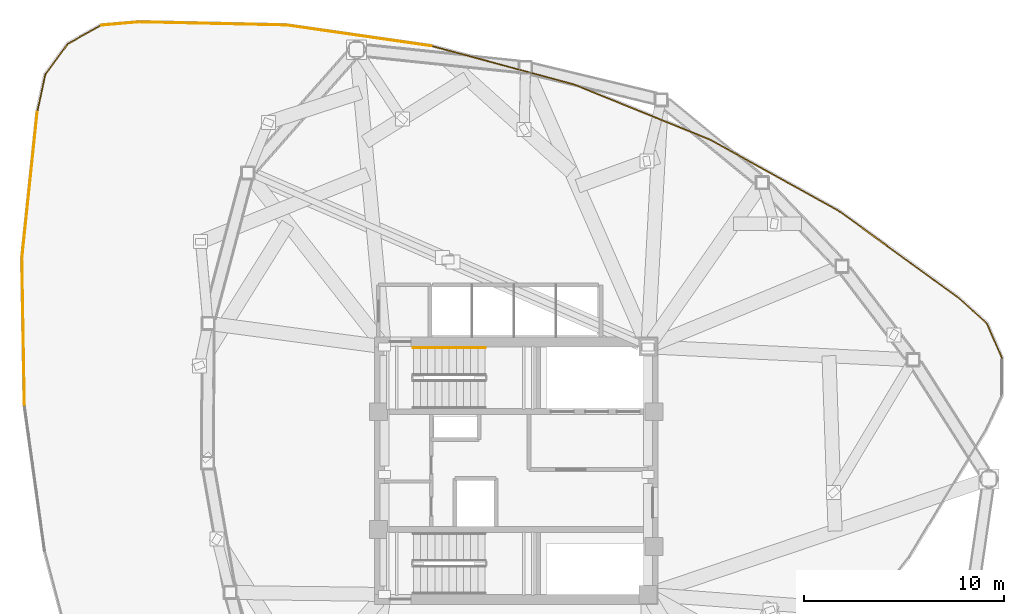
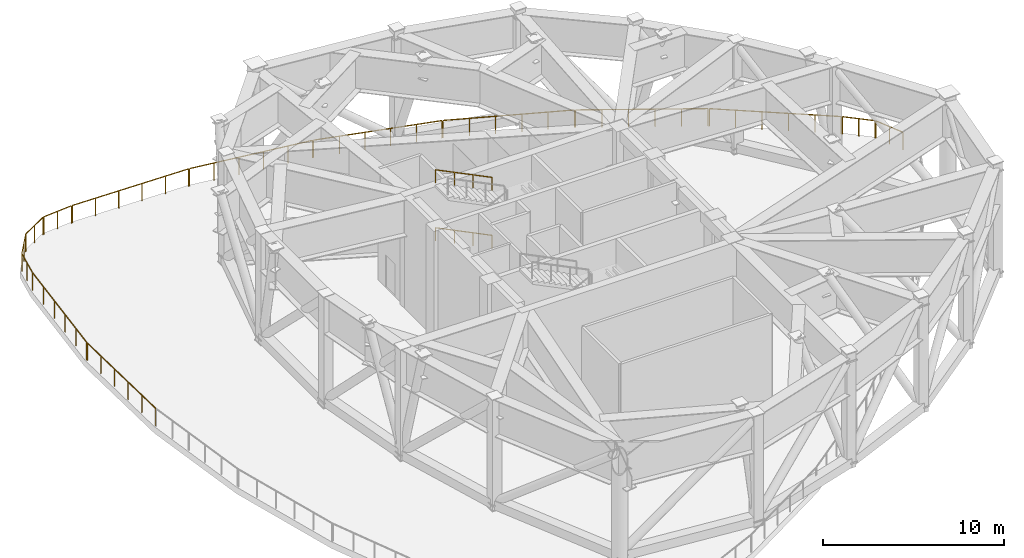
# One storey, part 8 of 8: 16 railings.
"""IFC4 building model written with IfcOpenShell, lengths in metres."""

from ifc_helpers import new_model, si_unit, direction, frame, origin, origin_2d, place, context, subcontext, project, spatial, rectangle, extrude, material, type_object, element, save


model = new_model("IFC4")

# Units and contexts
model_context = context("Model", 3, precision=1e-05, world=origin(), true_north=direction((0.0, 1.0)))
body_context = subcontext(model_context, "Body", "Model", "MODEL_VIEW")
ifc_project = project(units=[si_unit("LENGTHUNIT", "METRE"), si_unit("AREAUNIT", "SQUARE_METRE"), si_unit("VOLUMEUNIT", "CUBIC_METRE"), si_unit("PLANEANGLEUNIT", "RADIAN"), si_unit("MASSUNIT", "GRAM", prefix="KILO")], contexts=[model_context])

# Site, building, storey
site_placement = place(None, origin())
site = spatial("IfcSite", under=ifc_project, at=site_placement, CompositionType="ELEMENT")
building_placement = place(site_placement, origin())
building = spatial("IfcBuilding", under=site, at=building_placement, Name="Tavelor Broadcast Tower", CompositionType="ELEMENT")
storey_placement = place(building_placement, frame((0.0, 0.0, 209.14990234375)))
storey = spatial("IfcBuildingStorey", under=building, at=storey_placement, Name="L50", CompositionType="ELEMENT", Elevation=209.14990234375)

# Railings
ifc_material = material(Name="Steel S355", Category="steel")
railing_type_1 = type_object("IfcRailingType", Name="Continuous Brushed Stainless Handrail 900 mm", PredefinedType="HANDRAIL", material=ifc_material)
for number, where, name in (
    (1, (48.449951171875, 51.14990234375, 2.12744140625), "L50 ST1 stair handrail 2"),
    (2, (48.449951171875, 51.14990234375, 6.02734375), "L50 ST1 stair handrail 4"),
):
    element("IfcRailing", number, at=place(storey_placement, frame(where)), inside=storey, type_object=railing_type_1, Name=name, PredefinedType="HANDRAIL", context=body_context, shape_type="SweptSolid", body=[
        extrude(rectangle(XDim=0.048095703125, YDim=0.048095703125, at=origin_2d()), frame((0.0, 0.0, 0.8759765625), z_axis=(-0.897124305991, 0.0, 0.441778201817), x_axis=(0.0, -1.0, 0.0)), (0.0, 0.0, 1.0), 4.0126953125),
        extrude(rectangle(XDim=0.0419921875, YDim=0.0419921875, at=origin_2d()), origin(), (0.0, 0.0, 1.0), 0.851806640625),
        extrude(rectangle(XDim=0.0419921875, YDim=0.0419921875, at=origin_2d()), frame((-1.199951171875, 0.0, 0.5908203125)), (0.0, 0.0, 1.0), 0.851806640625),
        extrude(rectangle(XDim=0.0419921875, YDim=0.0419921875, at=origin_2d()), frame((-2.39990234375, 0.0, 1.181884765625)), (0.0, 0.0, 1.0), 0.851806640625),
        extrude(rectangle(XDim=0.0419921875, YDim=0.0419921875, at=origin_2d()), frame((-3.599853515625, 0.0, 1.772705078125)), (0.0, 0.0, 1.0), 0.851806640625),
    ])
railing_type_2 = type_object("IfcRailingType", Name="Open Wind Floor Perimeter Safety Guardrail 1200 mm", PredefinedType="GUARDRAIL", material=ifc_material)
railing_1_placement = place(storey_placement, frame((31.147705078125, 67.4658203125, 0.0)))
element("IfcRailing", 3, at=railing_1_placement, inside=storey, type_object=railing_type_2, Name="L50 Open Wind Floor Perimeter Guardrail 01", PredefinedType="GUARDRAIL", context=body_context, shape_type="SweptSolid", body=[
    extrude(rectangle(XDim=0.048095703125, YDim=0.048095703125, at=origin_2d()), frame((0.0, 0.0, 1.17578125), z_axis=(0.999772520189, -0.021328569439, 0.0), x_axis=(0.021328569439, 0.999772520189, 0.0)), (0.0, 0.0, 1.0), 7.314453125),
    extrude(rectangle(XDim=0.0419921875, YDim=0.0419921875, at=origin_2d()), origin(), (0.0, 0.0, 1.0), 1.15185546875),
    extrude(rectangle(XDim=0.0419921875, YDim=0.0419921875, at=origin_2d()), frame((1.462646484375, -0.03125, 0.0)), (0.0, 0.0, 1.0), 1.15185546875),
    extrude(rectangle(XDim=0.0419921875, YDim=0.0419921875, at=origin_2d()), frame((2.925048828125, -0.0625, 0.0)), (0.0, 0.0, 1.0), 1.15185546875),
    extrude(rectangle(XDim=0.0419921875, YDim=0.0419921875, at=origin_2d()), frame((4.3876953125, -0.093505859375, 0.0)), (0.0, 0.0, 1.0), 1.15185546875),
    extrude(rectangle(XDim=0.0419921875, YDim=0.0419921875, at=origin_2d()), frame((5.85009765625, -0.124755859375, 0.0)), (0.0, 0.0, 1.0), 1.15185546875),
    extrude(rectangle(XDim=0.0419921875, YDim=0.0419921875, at=origin_2d()), frame((7.312744140625, -0.156005859375, 0.0)), (0.0, 0.0, 1.0), 1.15185546875),
])
railing_2_placement = place(storey_placement, frame((38.520263671875, 67.3046875, 0.0)))
element("IfcRailing", 4, at=railing_2_placement, inside=storey, type_object=railing_type_2, Name="L50 Open Wind Floor Perimeter Guardrail 02", PredefinedType="GUARDRAIL", context=body_context, shape_type="SweptSolid", body=[
    extrude(rectangle(XDim=0.048095703125, YDim=0.048095703125, at=origin_2d()), frame((0.0, 0.0, 1.17578125), z_axis=(0.989841717818, -0.142173744644, 0.0), x_axis=(0.142173744644, 0.989841717818, 0.0)), (0.0, 0.0, 1.0), 7.3134765625),
    extrude(rectangle(XDim=0.0419921875, YDim=0.0419921875, at=origin_2d()), origin(), (0.0, 0.0, 1.0), 1.15185546875),
    extrude(rectangle(XDim=0.0419921875, YDim=0.0419921875, at=origin_2d()), frame((1.44775390625, -0.2080078125, 0.0)), (0.0, 0.0, 1.0), 1.15185546875),
    extrude(rectangle(XDim=0.0419921875, YDim=0.0419921875, at=origin_2d()), frame((2.895751953125, -0.416015625, 0.0)), (0.0, 0.0, 1.0), 1.15185546875),
    extrude(rectangle(XDim=0.0419921875, YDim=0.0419921875, at=origin_2d()), frame((4.343505859375, -0.623779296875, 0.0)), (0.0, 0.0, 1.0), 1.15185546875),
    extrude(rectangle(XDim=0.0419921875, YDim=0.0419921875, at=origin_2d()), frame((5.79150390625, -0.831787109375, 0.0)), (0.0, 0.0, 1.0), 1.15185546875),
    extrude(rectangle(XDim=0.0419921875, YDim=0.0419921875, at=origin_2d()), frame((7.2392578125, -1.039794921875, 0.0)), (0.0, 0.0, 1.0), 1.15185546875),
])
railing_3_placement = place(storey_placement, frame((45.818115234375, 66.2529296875, 0.0)))
element("IfcRailing", 5, at=railing_3_placement, inside=storey, type_object=railing_type_2, Name="L50 Open Wind Floor Perimeter Guardrail 03", PredefinedType="GUARDRAIL", context=body_context, shape_type="SweptSolid", body=[
    extrude(rectangle(XDim=0.048095703125, YDim=0.048095703125, at=origin_2d()), frame((0.0, 0.0, 1.17578125), z_axis=(0.965356803018, -0.260933406957, 0.0), x_axis=(0.260933406957, 0.965356803018, 0.0)), (0.0, 0.0, 1.0), 7.31396484375),
    extrude(rectangle(XDim=0.0419921875, YDim=0.0419921875, at=origin_2d()), origin(), (0.0, 0.0, 1.0), 1.15185546875),
    extrude(rectangle(XDim=0.0419921875, YDim=0.0419921875, at=origin_2d()), frame((1.412109375, -0.381591796875, 0.0)), (0.0, 0.0, 1.0), 1.15185546875),
    extrude(rectangle(XDim=0.0419921875, YDim=0.0419921875, at=origin_2d()), frame((2.82421875, -0.763427734375, 0.0)), (0.0, 0.0, 1.0), 1.15185546875),
    extrude(rectangle(XDim=0.0419921875, YDim=0.0419921875, at=origin_2d()), frame((4.236328125, -1.14501953125, 0.0)), (0.0, 0.0, 1.0), 1.15185546875),
    extrude(rectangle(XDim=0.0419921875, YDim=0.0419921875, at=origin_2d()), frame((5.6484375, -1.52685546875, 0.0)), (0.0, 0.0, 1.0), 1.15185546875),
    extrude(rectangle(XDim=0.0419921875, YDim=0.0419921875, at=origin_2d()), frame((7.060546875, -1.908447265625, 0.0)), (0.0, 0.0, 1.0), 1.15185546875),
])
railing_4_placement = place(storey_placement, frame((52.935302734375, 64.325439453125, 0.0)))
element("IfcRailing", 6, at=railing_4_placement, inside=storey, type_object=railing_type_2, Name="L50 Open Wind Floor Perimeter Guardrail 04", PredefinedType="GUARDRAIL", context=body_context, shape_type="SweptSolid", body=[
    extrude(rectangle(XDim=0.048095703125, YDim=0.048095703125, at=origin_2d()), frame((0.0, 0.0, 1.17578125), z_axis=(0.926698111947, -0.375806611588, 0.0), x_axis=(0.375806611588, 0.926698111947, 0.0)), (0.0, 0.0, 1.0), 7.313720703125),
    extrude(rectangle(XDim=0.0419921875, YDim=0.0419921875, at=origin_2d()), origin(), (0.0, 0.0, 1.0), 1.15185546875),
    extrude(rectangle(XDim=0.0419921875, YDim=0.0419921875, at=origin_2d()), frame((1.35546875, -0.5498046875, 0.0)), (0.0, 0.0, 1.0), 1.15185546875),
    extrude(rectangle(XDim=0.0419921875, YDim=0.0419921875, at=origin_2d()), frame((2.7109375, -1.099365234375, 0.0)), (0.0, 0.0, 1.0), 1.15185546875),
    extrude(rectangle(XDim=0.0419921875, YDim=0.0419921875, at=origin_2d()), frame((4.066650390625, -1.649169921875, 0.0)), (0.0, 0.0, 1.0), 1.15185546875),
    extrude(rectangle(XDim=0.0419921875, YDim=0.0419921875, at=origin_2d()), frame((5.422119140625, -2.19873046875, 0.0)), (0.0, 0.0, 1.0), 1.15185546875),
    extrude(rectangle(XDim=0.0419921875, YDim=0.0419921875, at=origin_2d()), frame((6.777587890625, -2.74853515625, 0.0)), (0.0, 0.0, 1.0), 1.15185546875),
])
railing_5_placement = place(storey_placement, frame((59.766845703125, 61.551025390625, 0.0)))
element("IfcRailing", 7, at=railing_5_placement, inside=storey, type_object=railing_type_2, Name="L50 Open Wind Floor Perimeter Guardrail 05", PredefinedType="GUARDRAIL", context=body_context, shape_type="SweptSolid", body=[
    extrude(rectangle(XDim=0.048095703125, YDim=0.048095703125, at=origin_2d()), frame((0.0, 0.0, 1.17578125), z_axis=(0.874387067555, -0.485229075894, 0.0), x_axis=(0.485229075894, 0.874387067555, 0.0)), (0.0, 0.0, 1.0), 7.313720703125),
    extrude(rectangle(XDim=0.0419921875, YDim=0.0419921875, at=origin_2d()), origin(), (0.0, 0.0, 1.0), 1.15185546875),
    extrude(rectangle(XDim=0.0419921875, YDim=0.0419921875, at=origin_2d()), frame((1.279052734375, -0.709716796875, 0.0)), (0.0, 0.0, 1.0), 1.15185546875),
    extrude(rectangle(XDim=0.0419921875, YDim=0.0419921875, at=origin_2d()), frame((2.55810546875, -1.41943359375, 0.0)), (0.0, 0.0, 1.0), 1.15185546875),
    extrude(rectangle(XDim=0.0419921875, YDim=0.0419921875, at=origin_2d()), frame((3.8369140625, -2.12939453125, 0.0)), (0.0, 0.0, 1.0), 1.15185546875),
    extrude(rectangle(XDim=0.0419921875, YDim=0.0419921875, at=origin_2d()), frame((5.115966796875, -2.839111328125, 0.0)), (0.0, 0.0, 1.0), 1.15185546875),
    extrude(rectangle(XDim=0.0419921875, YDim=0.0419921875, at=origin_2d()), frame((6.39501953125, -3.548828125, 0.0)), (0.0, 0.0, 1.0), 1.15185546875),
])
railing_6_placement = place(storey_placement, frame((66.21240234375, 57.97021484375, 0.0)))
element("IfcRailing", 8, at=railing_6_placement, inside=storey, type_object=railing_type_2, Name="L50 Open Wind Floor Perimeter Guardrail 06", PredefinedType="GUARDRAIL", context=body_context, shape_type="SweptSolid", body=[
    extrude(rectangle(XDim=0.048095703125, YDim=0.048095703125, at=origin_2d()), frame((0.0, 0.0, 1.17578125), z_axis=(0.809255386683, -0.587456993426, 0.0), x_axis=(0.587456993426, 0.809255386683, 0.0)), (0.0, 0.0, 1.0), 7.314453125),
    extrude(rectangle(XDim=0.0419921875, YDim=0.0419921875, at=origin_2d()), origin(), (0.0, 0.0, 1.0), 1.15185546875),
    extrude(rectangle(XDim=0.0419921875, YDim=0.0419921875, at=origin_2d()), frame((1.183837890625, -0.859375, 0.0)), (0.0, 0.0, 1.0), 1.15185546875),
    extrude(rectangle(XDim=0.0419921875, YDim=0.0419921875, at=origin_2d()), frame((2.36767578125, -1.71875, 0.0)), (0.0, 0.0, 1.0), 1.15185546875),
    extrude(rectangle(XDim=0.0419921875, YDim=0.0419921875, at=origin_2d()), frame((3.551513671875, -2.578125, 0.0)), (0.0, 0.0, 1.0), 1.15185546875),
    extrude(rectangle(XDim=0.0419921875, YDim=0.0419921875, at=origin_2d()), frame((4.7353515625, -3.4375, 0.0)), (0.0, 0.0, 1.0), 1.15185546875),
    extrude(rectangle(XDim=0.0419921875, YDim=0.0419921875, at=origin_2d()), frame((5.919189453125, -4.296875, 0.0)), (0.0, 0.0, 1.0), 1.15185546875),
])
railing_7_placement = place(storey_placement, frame((72.17822265625, 53.635498046875, 0.0)))
element("IfcRailing", 9, at=railing_7_placement, inside=storey, type_object=railing_type_2, Name="L50 Open Wind Floor Perimeter Guardrail 07", PredefinedType="GUARDRAIL", context=body_context, shape_type="SweptSolid", body=[
    extrude(rectangle(XDim=0.048095703125, YDim=0.048095703125, at=origin_2d()), frame((0.0, 0.0, 1.17578125), z_axis=(0.741398469348, -0.671065056196, 0.0), x_axis=(0.671065056196, 0.741398469348, 0.0)), (0.0, 0.0, 1.0), 1.853515625),
    extrude(rectangle(XDim=0.0419921875, YDim=0.0419921875, at=origin_2d()), origin(), (0.0, 0.0, 1.0), 1.15185546875),
    extrude(rectangle(XDim=0.0419921875, YDim=0.0419921875, at=origin_2d()), frame((0.68701171875, -0.6220703125, 0.0)), (0.0, 0.0, 1.0), 1.15185546875),
    extrude(rectangle(XDim=0.0419921875, YDim=0.0419921875, at=origin_2d()), frame((1.374267578125, -1.243896484375, 0.0)), (0.0, 0.0, 1.0), 1.15185546875),
])
railing_8_placement = place(storey_placement, frame((73.586669921875, 52.343994140625, 0.0)))
element("IfcRailing", 10, at=railing_8_placement, inside=storey, type_object=railing_type_2, Name="L50 Open Wind Floor Perimeter Guardrail 08", PredefinedType="GUARDRAIL", context=body_context, shape_type="SweptSolid", body=[
    extrude(rectangle(XDim=0.048095703125, YDim=0.048095703125, at=origin_2d()), frame((0.0, 0.0, 1.17578125), z_axis=(0.399556789675, -0.916708444286, 0.0), x_axis=(0.916708444286, 0.399556789675, 0.0)), (0.0, 0.0, 1.0), 1.83740234375),
    extrude(rectangle(XDim=0.0419921875, YDim=0.0419921875, at=origin_2d()), origin(), (0.0, 0.0, 1.0), 1.15185546875),
    extrude(rectangle(XDim=0.0419921875, YDim=0.0419921875, at=origin_2d()), frame((0.3671875, -0.84228515625, 0.0)), (0.0, 0.0, 1.0), 1.15185546875),
    extrude(rectangle(XDim=0.0419921875, YDim=0.0419921875, at=origin_2d()), frame((0.734130859375, -1.684326171875, 0.0)), (0.0, 0.0, 1.0), 1.15185546875),
])
railing_9_placement = place(storey_placement, frame((25.383056640625, 48.300537109375, 0.0)))
element("IfcRailing", 11, at=railing_9_placement, inside=storey, type_object=railing_type_2, Name="L50 Open Wind Floor Perimeter Guardrail 25", PredefinedType="GUARDRAIL", context=body_context, shape_type="SweptSolid", body=[
    extrude(rectangle(XDim=0.048095703125, YDim=0.048095703125, at=origin_2d()), frame((0.0, 0.0, 1.17578125), z_axis=(-0.016990836426, 0.99985564532, 0.0), x_axis=(-0.99985564532, -0.016990836426, 0.0)), (0.0, 0.0, 1.0), 7.313720703125),
    extrude(rectangle(XDim=0.0419921875, YDim=0.0419921875, at=origin_2d()), origin(), (0.0, 0.0, 1.0), 1.15185546875),
    extrude(rectangle(XDim=0.0419921875, YDim=0.0419921875, at=origin_2d()), frame((-0.02490234375, 1.462646484375, 0.0)), (0.0, 0.0, 1.0), 1.15185546875),
    extrude(rectangle(XDim=0.0419921875, YDim=0.0419921875, at=origin_2d()), frame((-0.0498046875, 2.925048828125, 0.0)), (0.0, 0.0, 1.0), 1.15185546875),
    extrude(rectangle(XDim=0.0419921875, YDim=0.0419921875, at=origin_2d()), frame((-0.074462890625, 4.3876953125, 0.0)), (0.0, 0.0, 1.0), 1.15185546875),
    extrude(rectangle(XDim=0.0419921875, YDim=0.0419921875, at=origin_2d()), frame((-0.099365234375, 5.85009765625, 0.0)), (0.0, 0.0, 1.0), 1.15185546875),
    extrude(rectangle(XDim=0.0419921875, YDim=0.0419921875, at=origin_2d()), frame((-0.124267578125, 7.312744140625, 0.0)), (0.0, 0.0, 1.0), 1.15185546875),
])
railing_10_placement = place(storey_placement, frame((25.26123046875, 55.673095703125, 0.0)))
element("IfcRailing", 12, at=railing_10_placement, inside=storey, type_object=railing_type_2, Name="L50 Open Wind Floor Perimeter Guardrail 26", PredefinedType="GUARDRAIL", context=body_context, shape_type="SweptSolid", body=[
    extrude(rectangle(XDim=0.048095703125, YDim=0.048095703125, at=origin_2d()), frame((0.0, 0.0, 1.17578125), z_axis=(0.104139199339, 0.994562731637, 0.0), x_axis=(-0.994562731637, 0.104139199339, 0.0)), (0.0, 0.0, 1.0), 7.314453125),
    extrude(rectangle(XDim=0.0419921875, YDim=0.0419921875, at=origin_2d()), origin(), (0.0, 0.0, 1.0), 1.15185546875),
    extrude(rectangle(XDim=0.0419921875, YDim=0.0419921875, at=origin_2d()), frame((0.15234375, 1.454833984375, 0.0)), (0.0, 0.0, 1.0), 1.15185546875),
    extrude(rectangle(XDim=0.0419921875, YDim=0.0419921875, at=origin_2d()), frame((0.3046875, 2.909912109375, 0.0)), (0.0, 0.0, 1.0), 1.15185546875),
    extrude(rectangle(XDim=0.0419921875, YDim=0.0419921875, at=origin_2d()), frame((0.45703125, 4.36474609375, 0.0)), (0.0, 0.0, 1.0), 1.15185546875),
    extrude(rectangle(XDim=0.0419921875, YDim=0.0419921875, at=origin_2d()), frame((0.609375, 5.81982421875, 0.0)), (0.0, 0.0, 1.0), 1.15185546875),
    extrude(rectangle(XDim=0.0419921875, YDim=0.0419921875, at=origin_2d()), frame((0.76171875, 7.274658203125, 0.0)), (0.0, 0.0, 1.0), 1.15185546875),
])
railing_11_placement = place(storey_placement, frame((26.0322265625, 63.0068359375, 0.0)))
element("IfcRailing", 13, at=railing_11_placement, inside=storey, type_object=railing_type_2, Name="L50 Open Wind Floor Perimeter Guardrail 27", PredefinedType="GUARDRAIL", context=body_context, shape_type="SweptSolid", body=[
    extrude(rectangle(XDim=0.048095703125, YDim=0.048095703125, at=origin_2d()), frame((0.0, 0.0, 1.17578125), z_axis=(0.210482485887, 0.977597628442, 0.0), x_axis=(-0.977597628442, 0.210482485887, 0.0)), (0.0, 0.0, 1.0), 1.853515625),
    extrude(rectangle(XDim=0.0419921875, YDim=0.0419921875, at=origin_2d()), origin(), (0.0, 0.0, 1.0), 1.15185546875),
    extrude(rectangle(XDim=0.0419921875, YDim=0.0419921875, at=origin_2d()), frame((0.195068359375, 0.906005859375, 0.0)), (0.0, 0.0, 1.0), 1.15185546875),
    extrude(rectangle(XDim=0.0419921875, YDim=0.0419921875, at=origin_2d()), frame((0.39013671875, 1.81201171875, 0.0)), (0.0, 0.0, 1.0), 1.15185546875),
])
railing_12_placement = place(storey_placement, frame((26.446533203125, 64.872314453125, 0.0)))
element("IfcRailing", 14, at=railing_12_placement, inside=storey, type_object=railing_type_2, Name="L50 Open Wind Floor Perimeter Guardrail 28", PredefinedType="GUARDRAIL", context=body_context, shape_type="SweptSolid", body=[
    extrude(rectangle(XDim=0.048095703125, YDim=0.048095703125, at=origin_2d()), frame((0.0, 0.0, 1.17578125), z_axis=(0.594136954424, 0.804363897367, 0.0), x_axis=(-0.804363897367, 0.594136954424, 0.0)), (0.0, 0.0, 1.0), 1.837158203125),
    extrude(rectangle(XDim=0.0419921875, YDim=0.0419921875, at=origin_2d()), origin(), (0.0, 0.0, 1.0), 1.15185546875),
    extrude(rectangle(XDim=0.0419921875, YDim=0.0419921875, at=origin_2d()), frame((0.5458984375, 0.73876953125, 0.0)), (0.0, 0.0, 1.0), 1.15185546875),
    extrude(rectangle(XDim=0.0419921875, YDim=0.0419921875, at=origin_2d()), frame((1.091552734375, 1.477783203125, 0.0)), (0.0, 0.0, 1.0), 1.15185546875),
])
railing_13_placement = place(storey_placement, frame((27.58203125, 66.388916015625, 0.0)))
element("IfcRailing", 15, at=railing_13_placement, inside=storey, type_object=railing_type_2, Name="L50 Open Wind Floor Perimeter Guardrail 29", PredefinedType="GUARDRAIL", context=body_context, shape_type="SweptSolid", body=[
    extrude(rectangle(XDim=0.048095703125, YDim=0.048095703125, at=origin_2d()), frame((0.0, 0.0, 1.17578125), z_axis=(0.872478828055, 0.488651915576, 0.0), x_axis=(-0.488651915576, 0.872478828055, 0.0)), (0.0, 0.0, 1.0), 1.837646484375),
    extrude(rectangle(XDim=0.0419921875, YDim=0.0419921875, at=origin_2d()), origin(), (0.0, 0.0, 1.0), 1.15185546875),
    extrude(rectangle(XDim=0.0419921875, YDim=0.0419921875, at=origin_2d()), frame((0.8017578125, 0.448974609375, 0.0)), (0.0, 0.0, 1.0), 1.15185546875),
    extrude(rectangle(XDim=0.0419921875, YDim=0.0419921875, at=origin_2d()), frame((1.603271484375, 0.89794921875, 0.0)), (0.0, 0.0, 1.0), 1.15185546875),
])
railing_14_placement = place(storey_placement, frame((29.2412109375, 67.303955078125, 0.0)))
element("IfcRailing", 16, at=railing_14_placement, inside=storey, type_object=railing_type_2, Name="L50 Open Wind Floor Perimeter Guardrail 30", PredefinedType="GUARDRAIL", context=body_context, shape_type="SweptSolid", body=[
    extrude(rectangle(XDim=0.048095703125, YDim=0.048095703125, at=origin_2d()), frame((0.0, 0.0, 1.17578125), z_axis=(0.996271660333, 0.086271541184, 0.0), x_axis=(-0.086271541184, 0.996271660333, 0.0)), (0.0, 0.0, 1.0), 1.853515625),
    extrude(rectangle(XDim=0.0419921875, YDim=0.0419921875, at=origin_2d()), origin(), (0.0, 0.0, 1.0), 1.15185546875),
    extrude(rectangle(XDim=0.0419921875, YDim=0.0419921875, at=origin_2d()), frame((0.92333984375, 0.080078125, 0.0)), (0.0, 0.0, 1.0), 1.15185546875),
    extrude(rectangle(XDim=0.0419921875, YDim=0.0419921875, at=origin_2d()), frame((1.8466796875, 0.159912109375, 0.0)), (0.0, 0.0, 1.0), 1.15185546875),
])

save(model, "model.ifc")
